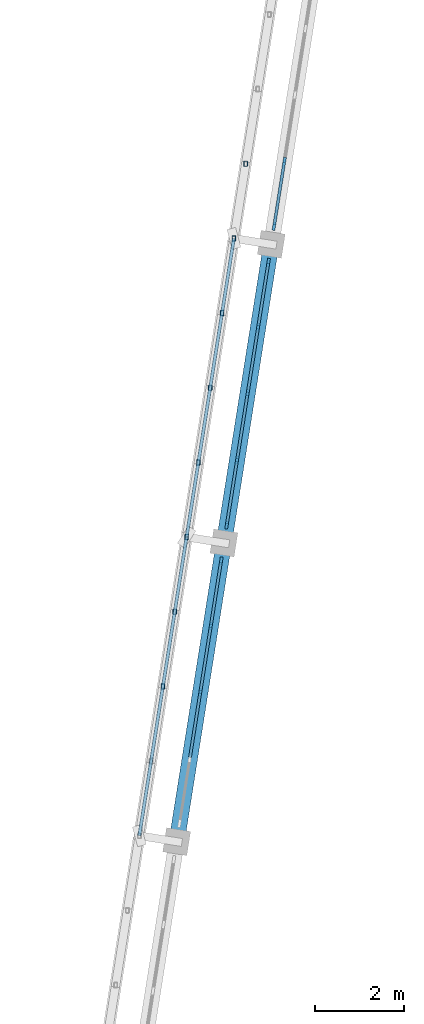
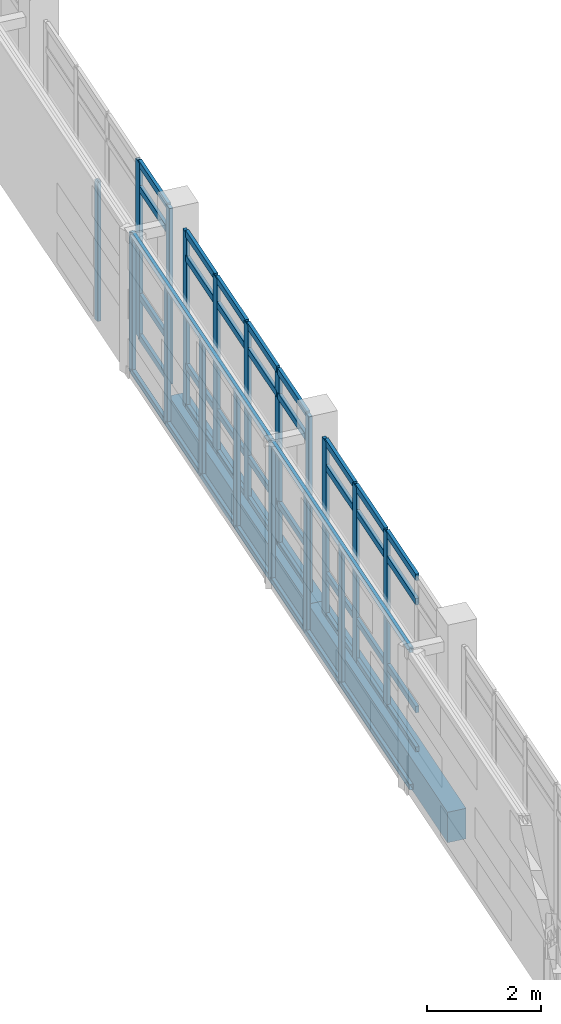
# One storey, part 39 of 137: 54 members, 2 beams, 3 elements without a shape of their own.
"""IFC4 building model written with IfcOpenShell, lengths in metres."""

from ifc_helpers import new_model, si_unit, direction, frame, origin, origin_2d, place, context, subcontext, project, spatial, rectangle, hollow_rectangle, extrude, material, material_profile, profile_set, type_object, element, aggregate, save


model = new_model("IFC4")

# Units and contexts
model_context = context("Model", 3, precision=1e-05, world=origin(), true_north=direction((0.0, 1.0)))
body_context = subcontext(model_context, "Body", "Model", "MODEL_VIEW")
ifc_project = project(units=[si_unit("LENGTHUNIT", "METRE"), si_unit("AREAUNIT", "SQUARE_METRE"), si_unit("VOLUMEUNIT", "CUBIC_METRE"), si_unit("PLANEANGLEUNIT", "RADIAN"), si_unit("MASSUNIT", "GRAM", prefix="KILO")], contexts=[model_context])

# Site, building, storey
site_placement = place(None, origin())
site = spatial("IfcSite", under=ifc_project, at=site_placement, CompositionType="ELEMENT")
building_placement = place(site_placement, origin())
building = spatial("IfcBuilding", under=site, at=building_placement, Name="Cinderway Yard Community Centre", CompositionType="ELEMENT")
storey_placement = place(building_placement, frame((0.0, 0.0, 4.800048828125)))
storey = spatial("IfcBuildingStorey", under=building, at=storey_placement, Name="L01", CompositionType="ELEMENT", Elevation=4.800048828125)

# Curtain wall, members
ifc_material_1 = material(Name="Aluminium 6063-T6", Category="aluminium")
curtain_wall_type = type_object("IfcCurtainWallType", Name="ENV-CW-TYPE-14", PredefinedType="USERDEFINED", material=ifc_material_1)
curtain_wall_1_placement = place(storey_placement, origin())
curtain_wall_1 = element("IfcCurtainWall", 1, at=curtain_wall_1_placement, inside=storey, type_object=curtain_wall_type, Name="Sports Hall Courtyard Curtain Wall ENV-CW-L01-HS-0053", ObjectType="GLAZED CURTAIN WALL", PredefinedType="USERDEFINED")
ifc_material_profile_1 = material_profile(ifc_material_1, rectangle(XDim=0.06494140625, YDim=0.179931640625, at=origin_2d()), Name="Aluminium 6063-T6")
ifc_profile_set_1 = profile_set([ifc_material_profile_1], Name="Aluminium 6063-T6")
member_type_1 = type_object("IfcMemberType", Name="ENV-CW-MULL-180", PredefinedType="MULLION", material=ifc_profile_set_1)
member_1_placement = place(storey_placement, frame((120.659423828125, 54.791015625, 0.0), z_axis=(0.0, 0.0, 1.0), x_axis=(-0.987686334358, 0.1564471314, 0.0)))
member_1 = element("IfcMember", 2, at=member_1_placement, type_object=member_type_1, Name="CW-14 mullion 3", PredefinedType="MULLION", context=body_context, shape_type="SweptSolid", body=[
    extrude(rectangle(XDim=0.06494140625, YDim=0.179931640625, at=origin_2d()), origin(), (0.0, 0.0, 1.0), 3.75),
])
member_2_placement = place(storey_placement, frame((120.895751953125, 56.282470703125, 0.0), z_axis=(0.0, 0.0, 1.0), x_axis=(-0.987686334358, 0.1564471314, 0.0)))
member_2 = element("IfcMember", 3, at=member_2_placement, type_object=member_type_1, Name="CW-14 mullion 4", PredefinedType="MULLION", context=body_context, shape_type="SweptSolid", body=[
    extrude(rectangle(XDim=0.06494140625, YDim=0.179931640625, at=origin_2d()), origin(), (0.0, 0.0, 1.0), 3.75),
])
member_3_placement = place(storey_placement, frame((121.127197265625, 57.744384765625, 0.0), z_axis=(0.0, 0.0, 1.0), x_axis=(-0.987686334358, 0.1564471314, 0.0)))
member_3 = element("IfcMember", 4, at=member_3_placement, type_object=member_type_1, Name="CW-14 mullion 5", PredefinedType="MULLION", context=body_context, shape_type="SweptSolid", body=[
    extrude(rectangle(XDim=0.06494140625, YDim=0.179931640625, at=origin_2d()), origin(), (0.0, 0.0, 1.0), 3.75),
])

curtain_wall_2_placement = place(storey_placement, origin())
curtain_wall_2 = element("IfcCurtainWall", 5, at=curtain_wall_2_placement, inside=storey, type_object=curtain_wall_type, Name="Sports Hall Courtyard Curtain Wall ENV-CW-L01-HS-0054", ObjectType="GLAZED CURTAIN WALL", PredefinedType="USERDEFINED")
member_4_placement = place(storey_placement, frame((121.254638671875, 58.5537109375, 0.0), z_axis=(0.0, 0.0, 1.0), x_axis=(-0.987660740525, 0.156608625643, 0.0)))
member_4 = element("IfcMember", 6, at=member_4_placement, type_object=member_type_1, Name="CW-14 mullion 1", PredefinedType="MULLION", context=body_context, shape_type="SweptSolid", body=[
    extrude(rectangle(XDim=0.06494140625, YDim=0.179931640625, at=origin_2d()), origin(), (0.0, 0.0, 1.0), 3.75),
])
member_5_placement = place(storey_placement, frame((121.486572265625, 60.015380859375, 0.0), z_axis=(0.0, 0.0, 1.0), x_axis=(-0.987660740525, 0.156608625643, 0.0)))
member_5 = element("IfcMember", 7, at=member_5_placement, type_object=member_type_1, Name="CW-14 mullion 2", PredefinedType="MULLION", context=body_context, shape_type="SweptSolid", body=[
    extrude(rectangle(XDim=0.06494140625, YDim=0.179931640625, at=origin_2d()), origin(), (0.0, 0.0, 1.0), 3.75),
])
member_6_placement = place(storey_placement, frame((121.722900390625, 61.507080078125, 0.0), z_axis=(0.0, 0.0, 1.0), x_axis=(-0.987660740525, 0.156608625643, 0.0)))
member_6 = element("IfcMember", 8, at=member_6_placement, type_object=member_type_1, Name="CW-14 mullion 3", PredefinedType="MULLION", context=body_context, shape_type="SweptSolid", body=[
    extrude(rectangle(XDim=0.06494140625, YDim=0.179931640625, at=origin_2d()), origin(), (0.0, 0.0, 1.0), 3.75),
])
member_7_placement = place(storey_placement, frame((121.95947265625, 62.99853515625, 0.0), z_axis=(0.0, 0.0, 1.0), x_axis=(-0.987660740525, 0.156608625643, 0.0)))
member_7 = element("IfcMember", 9, at=member_7_placement, type_object=member_type_1, Name="CW-14 mullion 4", PredefinedType="MULLION", context=body_context, shape_type="SweptSolid", body=[
    extrude(rectangle(XDim=0.06494140625, YDim=0.179931640625, at=origin_2d()), origin(), (0.0, 0.0, 1.0), 3.75),
])
member_8_placement = place(storey_placement, frame((122.19140625, 64.46044921875, 0.0), z_axis=(0.0, 0.0, 1.0), x_axis=(-0.987660740525, 0.156608625643, 0.0)))
member_8 = element("IfcMember", 10, at=member_8_placement, type_object=member_type_1, Name="CW-14 mullion 5", PredefinedType="MULLION", context=body_context, shape_type="SweptSolid", body=[
    extrude(rectangle(XDim=0.06494140625, YDim=0.179931640625, at=origin_2d()), origin(), (0.0, 0.0, 1.0), 3.75),
])

curtain_wall_3_placement = place(storey_placement, origin())
curtain_wall_3 = element("IfcCurtainWall", 11, at=curtain_wall_3_placement, inside=storey, type_object=curtain_wall_type, Name="Sports Hall Courtyard Curtain Wall ENV-CW-L01-HS-0055", ObjectType="GLAZED CURTAIN WALL", PredefinedType="USERDEFINED")
member_9_placement = place(storey_placement, frame((122.318603515625, 65.26953125, 0.0), z_axis=(0.0, 0.0, 1.0), x_axis=(-0.987660740525, 0.156608625643, 0.0)))
member_9 = element("IfcMember", 12, at=member_9_placement, type_object=member_type_1, Name="CW-14 mullion 1", PredefinedType="MULLION", context=body_context, shape_type="SweptSolid", body=[
    extrude(rectangle(XDim=0.06494140625, YDim=0.179931640625, at=origin_2d()), origin(), (0.0, 0.0, 1.0), 3.75),
])
member_10_placement = place(storey_placement, frame((122.550537109375, 66.7314453125, 0.0), z_axis=(0.0, 0.0, 1.0), x_axis=(-0.987660740525, 0.156608625643, 0.0)))
member_10 = element("IfcMember", 13, at=member_10_placement, type_object=member_type_1, Name="CW-14 mullion 2", PredefinedType="MULLION", context=body_context, shape_type="SweptSolid", body=[
    extrude(rectangle(XDim=0.06494140625, YDim=0.179931640625, at=origin_2d()), origin(), (0.0, 0.0, 1.0), 3.75),
])

# Member
ifc_material_profile_2 = material_profile(ifc_material_1, rectangle(XDim=0.06494140625, YDim=0.139892578125, at=origin_2d()), Name="Aluminium 6063-T6")
ifc_profile_set_2 = profile_set([ifc_material_profile_2], Name="Aluminium 6063-T6")
member_type_2 = type_object("IfcMemberType", Name="ENV-CW-TRAN-140", PredefinedType="USERDEFINED", material=ifc_profile_set_2)
member_11_placement = place(storey_placement, frame((120.427978515625, 53.3291015625, 0.030029296875), z_axis=(0.156394802051, 0.987694621779, 0.0), x_axis=(-0.987694621779, 0.156394802051, 0.0)))
member_11 = element("IfcMember", 14, at=member_11_placement, type_object=member_type_2, Name="CW-14 transom 2.1", ObjectType="TRANSOM", PredefinedType="USERDEFINED", context=body_context, shape_type="SweptSolid", body=[
    extrude(rectangle(XDim=0.06494140625, YDim=0.139892578125, at=origin_2d()), origin(), (0.0, 0.0, 1.0), 1.4501953125),
])

member_12_placement = place(storey_placement, frame((120.427978515625, 53.3291015625, 0.89990234375), z_axis=(0.156394802051, 0.987694621779, 0.0), x_axis=(-0.987694621779, 0.156394802051, 0.0)))
member_12 = element("IfcMember", 15, at=member_12_placement, type_object=member_type_2, Name="CW-14 transom 2.2", ObjectType="TRANSOM", PredefinedType="USERDEFINED", context=body_context, shape_type="SweptSolid", body=[
    extrude(rectangle(XDim=0.06494140625, YDim=0.139892578125, at=origin_2d()), origin(), (0.0, 0.0, 1.0), 1.4501953125),
])

member_13_placement = place(storey_placement, frame((120.427978515625, 53.3291015625, 3.199951171875), z_axis=(0.156394802051, 0.987694621779, 0.0), x_axis=(-0.987694621779, 0.156394802051, 0.0)))
member_13 = element("IfcMember", 16, at=member_13_placement, type_object=member_type_2, Name="CW-14 transom 2.3", ObjectType="TRANSOM", PredefinedType="USERDEFINED", context=body_context, shape_type="SweptSolid", body=[
    extrude(rectangle(XDim=0.06494140625, YDim=0.139892578125, at=origin_2d()), origin(), (0.0, 0.0, 1.0), 1.4501953125),
])

member_14_placement = place(storey_placement, frame((120.427978515625, 53.3291015625, 3.719970703125), z_axis=(0.156394802051, 0.987694621779, 0.0), x_axis=(-0.987694621779, 0.156394802051, 0.0)))
member_14 = element("IfcMember", 17, at=member_14_placement, type_object=member_type_2, Name="CW-14 transom 2.4", ObjectType="TRANSOM", PredefinedType="USERDEFINED", context=body_context, shape_type="SweptSolid", body=[
    extrude(rectangle(XDim=0.06494140625, YDim=0.139892578125, at=origin_2d()), origin(), (0.0, 0.0, 1.0), 1.4501953125),
])

member_15_placement = place(storey_placement, frame((120.664306640625, 54.820556640625, 0.030029296875), z_axis=(0.156394802051, 0.987694621779, 0.0), x_axis=(-0.987694621779, 0.156394802051, 0.0)))
member_15 = element("IfcMember", 18, at=member_15_placement, type_object=member_type_2, Name="CW-14 transom 3.1", ObjectType="TRANSOM", PredefinedType="USERDEFINED", context=body_context, shape_type="SweptSolid", body=[
    extrude(rectangle(XDim=0.06494140625, YDim=0.139892578125, at=origin_2d()), origin(), (0.0, 0.0, 1.0), 1.4501953125),
])

member_16_placement = place(storey_placement, frame((120.664306640625, 54.820556640625, 0.89990234375), z_axis=(0.156394802051, 0.987694621779, 0.0), x_axis=(-0.987694621779, 0.156394802051, 0.0)))
member_16 = element("IfcMember", 19, at=member_16_placement, type_object=member_type_2, Name="CW-14 transom 3.2", ObjectType="TRANSOM", PredefinedType="USERDEFINED", context=body_context, shape_type="SweptSolid", body=[
    extrude(rectangle(XDim=0.06494140625, YDim=0.139892578125, at=origin_2d()), origin(), (0.0, 0.0, 1.0), 1.4501953125),
])

member_17_placement = place(storey_placement, frame((120.664306640625, 54.820556640625, 3.199951171875), z_axis=(0.156394802051, 0.987694621779, 0.0), x_axis=(-0.987694621779, 0.156394802051, 0.0)))
member_17 = element("IfcMember", 20, at=member_17_placement, type_object=member_type_2, Name="CW-14 transom 3.3", ObjectType="TRANSOM", PredefinedType="USERDEFINED", context=body_context, shape_type="SweptSolid", body=[
    extrude(rectangle(XDim=0.06494140625, YDim=0.139892578125, at=origin_2d()), origin(), (0.0, 0.0, 1.0), 1.4501953125),
])

member_18_placement = place(storey_placement, frame((120.664306640625, 54.820556640625, 3.719970703125), z_axis=(0.156394802051, 0.987694621779, 0.0), x_axis=(-0.987694621779, 0.156394802051, 0.0)))
member_18 = element("IfcMember", 21, at=member_18_placement, type_object=member_type_2, Name="CW-14 transom 3.4", ObjectType="TRANSOM", PredefinedType="USERDEFINED", context=body_context, shape_type="SweptSolid", body=[
    extrude(rectangle(XDim=0.06494140625, YDim=0.139892578125, at=origin_2d()), origin(), (0.0, 0.0, 1.0), 1.4501953125),
])

member_19_placement = place(storey_placement, frame((120.900390625, 56.31201171875, 0.030029296875), z_axis=(0.156421554245, 0.987690385378, 0.0), x_axis=(-0.987690385378, 0.156421554245, 0.0)))
member_19 = element("IfcMember", 22, at=member_19_placement, type_object=member_type_2, Name="CW-14 transom 4.1", ObjectType="TRANSOM", PredefinedType="USERDEFINED", context=body_context, shape_type="SweptSolid", body=[
    extrude(rectangle(XDim=0.06494140625, YDim=0.139892578125, at=origin_2d()), origin(), (0.0, 0.0, 1.0), 1.42041015625),
])

member_20_placement = place(storey_placement, frame((120.900390625, 56.31201171875, 0.89990234375), z_axis=(0.156421554245, 0.987690385378, 0.0), x_axis=(-0.987690385378, 0.156421554245, 0.0)))
member_20 = element("IfcMember", 23, at=member_20_placement, type_object=member_type_2, Name="CW-14 transom 4.2", ObjectType="TRANSOM", PredefinedType="USERDEFINED", context=body_context, shape_type="SweptSolid", body=[
    extrude(rectangle(XDim=0.06494140625, YDim=0.139892578125, at=origin_2d()), origin(), (0.0, 0.0, 1.0), 1.42041015625),
])

member_21_placement = place(storey_placement, frame((120.900390625, 56.31201171875, 3.199951171875), z_axis=(0.156421554245, 0.987690385378, 0.0), x_axis=(-0.987690385378, 0.156421554245, 0.0)))
member_21 = element("IfcMember", 24, at=member_21_placement, type_object=member_type_2, Name="CW-14 transom 4.3", ObjectType="TRANSOM", PredefinedType="USERDEFINED", context=body_context, shape_type="SweptSolid", body=[
    extrude(rectangle(XDim=0.06494140625, YDim=0.139892578125, at=origin_2d()), origin(), (0.0, 0.0, 1.0), 1.42041015625),
])

member_22_placement = place(storey_placement, frame((120.900390625, 56.31201171875, 3.719970703125), z_axis=(0.156421554245, 0.987690385378, 0.0), x_axis=(-0.987690385378, 0.156421554245, 0.0)))
member_22 = element("IfcMember", 25, at=member_22_placement, type_object=member_type_2, Name="CW-14 transom 4.4", ObjectType="TRANSOM", PredefinedType="USERDEFINED", context=body_context, shape_type="SweptSolid", body=[
    extrude(rectangle(XDim=0.06494140625, YDim=0.139892578125, at=origin_2d()), origin(), (0.0, 0.0, 1.0), 1.42041015625),
])

aggregate(curtain_wall_1, [member_1, member_2, member_3, member_11, member_12, member_13, member_14, member_15, member_16, member_17, member_18, member_19, member_20, member_21, member_22])

member_23_placement = place(storey_placement, frame((121.25927734375, 58.583251953125, 0.030029296875), z_axis=(0.156615821604, 0.987659599469, 0.0), x_axis=(-0.987659599469, 0.156615821604, 0.0)))
member_23 = element("IfcMember", 26, at=member_23_placement, type_object=member_type_2, Name="CW-14 transom 1.1", ObjectType="TRANSOM", PredefinedType="USERDEFINED", context=body_context, shape_type="SweptSolid", body=[
    extrude(rectangle(XDim=0.06494140625, YDim=0.139892578125, at=origin_2d()), origin(), (0.0, 0.0, 1.0), 1.420166015625),
])

member_24_placement = place(storey_placement, frame((121.25927734375, 58.583251953125, 0.89990234375), z_axis=(0.156615821604, 0.987659599469, 0.0), x_axis=(-0.987659599469, 0.156615821604, 0.0)))
member_24 = element("IfcMember", 27, at=member_24_placement, type_object=member_type_2, Name="CW-14 transom 1.2", ObjectType="TRANSOM", PredefinedType="USERDEFINED", context=body_context, shape_type="SweptSolid", body=[
    extrude(rectangle(XDim=0.06494140625, YDim=0.139892578125, at=origin_2d()), origin(), (0.0, 0.0, 1.0), 1.420166015625),
])

member_25_placement = place(storey_placement, frame((121.25927734375, 58.583251953125, 3.199951171875), z_axis=(0.156615821604, 0.987659599469, 0.0), x_axis=(-0.987659599469, 0.156615821604, 0.0)))
member_25 = element("IfcMember", 28, at=member_25_placement, type_object=member_type_2, Name="CW-14 transom 1.3", ObjectType="TRANSOM", PredefinedType="USERDEFINED", context=body_context, shape_type="SweptSolid", body=[
    extrude(rectangle(XDim=0.06494140625, YDim=0.139892578125, at=origin_2d()), origin(), (0.0, 0.0, 1.0), 1.420166015625),
])

member_26_placement = place(storey_placement, frame((121.25927734375, 58.583251953125, 3.719970703125), z_axis=(0.156615821604, 0.987659599469, 0.0), x_axis=(-0.987659599469, 0.156615821604, 0.0)))
member_26 = element("IfcMember", 29, at=member_26_placement, type_object=member_type_2, Name="CW-14 transom 1.4", ObjectType="TRANSOM", PredefinedType="USERDEFINED", context=body_context, shape_type="SweptSolid", body=[
    extrude(rectangle(XDim=0.06494140625, YDim=0.139892578125, at=origin_2d()), origin(), (0.0, 0.0, 1.0), 1.420166015625),
])

member_27_placement = place(storey_placement, frame((121.4912109375, 60.045166015625, 0.030029296875), z_axis=(0.156585060263, 0.987664476886, 0.0), x_axis=(-0.987664476886, 0.156585060263, 0.0)))
member_27 = element("IfcMember", 30, at=member_27_placement, type_object=member_type_2, Name="CW-14 transom 2.1", ObjectType="TRANSOM", PredefinedType="USERDEFINED", context=body_context, shape_type="SweptSolid", body=[
    extrude(rectangle(XDim=0.06494140625, YDim=0.139892578125, at=origin_2d()), origin(), (0.0, 0.0, 1.0), 1.449951171875),
])

member_28_placement = place(storey_placement, frame((121.4912109375, 60.045166015625, 0.89990234375), z_axis=(0.156585060263, 0.987664476886, 0.0), x_axis=(-0.987664476886, 0.156585060263, 0.0)))
member_28 = element("IfcMember", 31, at=member_28_placement, type_object=member_type_2, Name="CW-14 transom 2.2", ObjectType="TRANSOM", PredefinedType="USERDEFINED", context=body_context, shape_type="SweptSolid", body=[
    extrude(rectangle(XDim=0.06494140625, YDim=0.139892578125, at=origin_2d()), origin(), (0.0, 0.0, 1.0), 1.449951171875),
])

member_29_placement = place(storey_placement, frame((121.4912109375, 60.045166015625, 3.199951171875), z_axis=(0.156585060263, 0.987664476886, 0.0), x_axis=(-0.987664476886, 0.156585060263, 0.0)))
member_29 = element("IfcMember", 32, at=member_29_placement, type_object=member_type_2, Name="CW-14 transom 2.3", ObjectType="TRANSOM", PredefinedType="USERDEFINED", context=body_context, shape_type="SweptSolid", body=[
    extrude(rectangle(XDim=0.06494140625, YDim=0.139892578125, at=origin_2d()), origin(), (0.0, 0.0, 1.0), 1.449951171875),
])

member_30_placement = place(storey_placement, frame((121.4912109375, 60.045166015625, 3.719970703125), z_axis=(0.156585060263, 0.987664476886, 0.0), x_axis=(-0.987664476886, 0.156585060263, 0.0)))
member_30 = element("IfcMember", 33, at=member_30_placement, type_object=member_type_2, Name="CW-14 transom 2.4", ObjectType="TRANSOM", PredefinedType="USERDEFINED", context=body_context, shape_type="SweptSolid", body=[
    extrude(rectangle(XDim=0.06494140625, YDim=0.139892578125, at=origin_2d()), origin(), (0.0, 0.0, 1.0), 1.449951171875),
])

member_31_placement = place(storey_placement, frame((121.727783203125, 61.53662109375, 0.030029296875), z_axis=(0.156585060263, 0.987664476886, 0.0), x_axis=(-0.987664476886, 0.156585060263, 0.0)))
member_31 = element("IfcMember", 34, at=member_31_placement, type_object=member_type_2, Name="CW-14 transom 3.1", ObjectType="TRANSOM", PredefinedType="USERDEFINED", context=body_context, shape_type="SweptSolid", body=[
    extrude(rectangle(XDim=0.06494140625, YDim=0.139892578125, at=origin_2d()), origin(), (0.0, 0.0, 1.0), 1.449951171875),
])

member_32_placement = place(storey_placement, frame((121.727783203125, 61.53662109375, 0.89990234375), z_axis=(0.156585060263, 0.987664476886, 0.0), x_axis=(-0.987664476886, 0.156585060263, 0.0)))
member_32 = element("IfcMember", 35, at=member_32_placement, type_object=member_type_2, Name="CW-14 transom 3.2", ObjectType="TRANSOM", PredefinedType="USERDEFINED", context=body_context, shape_type="SweptSolid", body=[
    extrude(rectangle(XDim=0.06494140625, YDim=0.139892578125, at=origin_2d()), origin(), (0.0, 0.0, 1.0), 1.449951171875),
])

member_33_placement = place(storey_placement, frame((121.727783203125, 61.53662109375, 3.199951171875), z_axis=(0.156585060263, 0.987664476886, 0.0), x_axis=(-0.987664476886, 0.156585060263, 0.0)))
member_33 = element("IfcMember", 36, at=member_33_placement, type_object=member_type_2, Name="CW-14 transom 3.3", ObjectType="TRANSOM", PredefinedType="USERDEFINED", context=body_context, shape_type="SweptSolid", body=[
    extrude(rectangle(XDim=0.06494140625, YDim=0.139892578125, at=origin_2d()), origin(), (0.0, 0.0, 1.0), 1.449951171875),
])

member_34_placement = place(storey_placement, frame((121.727783203125, 61.53662109375, 3.719970703125), z_axis=(0.156585060263, 0.987664476886, 0.0), x_axis=(-0.987664476886, 0.156585060263, 0.0)))
member_34 = element("IfcMember", 37, at=member_34_placement, type_object=member_type_2, Name="CW-14 transom 3.4", ObjectType="TRANSOM", PredefinedType="USERDEFINED", context=body_context, shape_type="SweptSolid", body=[
    extrude(rectangle(XDim=0.06494140625, YDim=0.139892578125, at=origin_2d()), origin(), (0.0, 0.0, 1.0), 1.449951171875),
])

member_35_placement = place(storey_placement, frame((121.964111328125, 63.028076171875, 0.030029296875), z_axis=(0.156615821604, 0.987659599469, 0.0), x_axis=(-0.987659599469, 0.156615821604, 0.0)))
member_35 = element("IfcMember", 38, at=member_35_placement, type_object=member_type_2, Name="CW-14 transom 4.1", ObjectType="TRANSOM", PredefinedType="USERDEFINED", context=body_context, shape_type="SweptSolid", body=[
    extrude(rectangle(XDim=0.06494140625, YDim=0.139892578125, at=origin_2d()), origin(), (0.0, 0.0, 1.0), 1.420166015625),
])

member_36_placement = place(storey_placement, frame((121.964111328125, 63.028076171875, 0.89990234375), z_axis=(0.156615821604, 0.987659599469, 0.0), x_axis=(-0.987659599469, 0.156615821604, 0.0)))
member_36 = element("IfcMember", 39, at=member_36_placement, type_object=member_type_2, Name="CW-14 transom 4.2", ObjectType="TRANSOM", PredefinedType="USERDEFINED", context=body_context, shape_type="SweptSolid", body=[
    extrude(rectangle(XDim=0.06494140625, YDim=0.139892578125, at=origin_2d()), origin(), (0.0, 0.0, 1.0), 1.420166015625),
])

member_37_placement = place(storey_placement, frame((121.964111328125, 63.028076171875, 3.199951171875), z_axis=(0.156615821604, 0.987659599469, 0.0), x_axis=(-0.987659599469, 0.156615821604, 0.0)))
member_37 = element("IfcMember", 40, at=member_37_placement, type_object=member_type_2, Name="CW-14 transom 4.3", ObjectType="TRANSOM", PredefinedType="USERDEFINED", context=body_context, shape_type="SweptSolid", body=[
    extrude(rectangle(XDim=0.06494140625, YDim=0.139892578125, at=origin_2d()), origin(), (0.0, 0.0, 1.0), 1.420166015625),
])

member_38_placement = place(storey_placement, frame((121.964111328125, 63.028076171875, 3.719970703125), z_axis=(0.156615821604, 0.987659599469, 0.0), x_axis=(-0.987659599469, 0.156615821604, 0.0)))
member_38 = element("IfcMember", 41, at=member_38_placement, type_object=member_type_2, Name="CW-14 transom 4.4", ObjectType="TRANSOM", PredefinedType="USERDEFINED", context=body_context, shape_type="SweptSolid", body=[
    extrude(rectangle(XDim=0.06494140625, YDim=0.139892578125, at=origin_2d()), origin(), (0.0, 0.0, 1.0), 1.420166015625),
])

aggregate(curtain_wall_2, [member_4, member_5, member_6, member_7, member_8, member_23, member_24, member_25, member_26, member_27, member_28, member_29, member_30, member_31, member_32, member_33, member_34, member_35, member_36, member_37, member_38])

member_39_placement = place(storey_placement, frame((122.323486328125, 65.29931640625, 0.030029296875), z_axis=(0.156615821604, 0.987659599469, 0.0), x_axis=(-0.987659599469, 0.156615821604, 0.0)))
member_39 = element("IfcMember", 42, at=member_39_placement, type_object=member_type_2, Name="CW-14 transom 1.1", ObjectType="TRANSOM", PredefinedType="USERDEFINED", context=body_context, shape_type="SweptSolid", body=[
    extrude(rectangle(XDim=0.06494140625, YDim=0.139892578125, at=origin_2d()), origin(), (0.0, 0.0, 1.0), 1.420166015625),
])

member_40_placement = place(storey_placement, frame((122.323486328125, 65.29931640625, 0.89990234375), z_axis=(0.156615821604, 0.987659599469, 0.0), x_axis=(-0.987659599469, 0.156615821604, 0.0)))
member_40 = element("IfcMember", 43, at=member_40_placement, type_object=member_type_2, Name="CW-14 transom 1.2", ObjectType="TRANSOM", PredefinedType="USERDEFINED", context=body_context, shape_type="SweptSolid", body=[
    extrude(rectangle(XDim=0.06494140625, YDim=0.139892578125, at=origin_2d()), origin(), (0.0, 0.0, 1.0), 1.420166015625),
])

member_41_placement = place(storey_placement, frame((122.323486328125, 65.29931640625, 3.199951171875), z_axis=(0.156615821604, 0.987659599469, 0.0), x_axis=(-0.987659599469, 0.156615821604, 0.0)))
member_41 = element("IfcMember", 44, at=member_41_placement, type_object=member_type_2, Name="CW-14 transom 1.3", ObjectType="TRANSOM", PredefinedType="USERDEFINED", context=body_context, shape_type="SweptSolid", body=[
    extrude(rectangle(XDim=0.06494140625, YDim=0.139892578125, at=origin_2d()), origin(), (0.0, 0.0, 1.0), 1.420166015625),
])

member_42_placement = place(storey_placement, frame((122.323486328125, 65.29931640625, 3.719970703125), z_axis=(0.156615821604, 0.987659599469, 0.0), x_axis=(-0.987659599469, 0.156615821604, 0.0)))
member_42 = element("IfcMember", 45, at=member_42_placement, type_object=member_type_2, Name="CW-14 transom 1.4", ObjectType="TRANSOM", PredefinedType="USERDEFINED", context=body_context, shape_type="SweptSolid", body=[
    extrude(rectangle(XDim=0.06494140625, YDim=0.139892578125, at=origin_2d()), origin(), (0.0, 0.0, 1.0), 1.420166015625),
])

aggregate(curtain_wall_3, [member_9, member_10, member_39, member_40, member_41, member_42])

# Members
ifc_material_2 = material(Name="Steel S355", Category="steel")
ifc_material_profile_3 = material_profile(ifc_material_2, hollow_rectangle(XDim=0.080078125, YDim=0.1201171875, WallThickness=0.00634765625, InnerFilletRadius=0.00634765625, OuterFilletRadius=0.0126953125, at=origin_2d()), Name="Steel S355")
ifc_profile_set_3 = profile_set([ifc_material_profile_3], Name="Steel S355")
member_type_3 = type_object("IfcMemberType", Name="ENV-MEM-SCREEN-RAIL-120", PredefinedType="STRINGER", material=ifc_profile_set_3)
for number, where, z_axis, x_axis, name in (
    (46, (119.2880859375, 51.56591796875, 0.7099609375), (0.156329470887, 0.987704964315, 0.0), (-0.987704964315, 0.156329470887, 0.0), "Screen support rail 0983-BOT"),
    (47, (119.2880859375, 51.56591796875, 3.639892578125), (0.156329470887, 0.987704964315, 0.0), (-0.987704964315, 0.156329470887, 0.0), "Screen support rail 0984-TOP"),
):
    element("IfcMember", number, at=place(storey_placement, frame(where, z_axis=z_axis, x_axis=x_axis)), inside=storey, type_object=member_type_3, Name=name, PredefinedType="STRINGER", context=body_context, shape_type="SweptSolid", body=[
        extrude(hollow_rectangle(XDim=0.080078125, YDim=0.1201171875, WallThickness=0.00634765625, InnerFilletRadius=0.00634765625, OuterFilletRadius=0.0126953125, at=origin_2d()), origin(), (0.0, 0.0, 1.0), 6.799560546875),
    ])
for number, where, z_axis, x_axis, name in (
    (48, (119.820068359375, 54.924072265625, 0.68994140625), (0.0, 0.0, 1.0), (1.0, 0.0, 0.0), "Screen vertical mullion 0986"),
    (49, (120.0849609375, 56.60302734375, 0.68994140625), (0.0, 0.0, 1.0), (1.0, 0.0, 0.0), "Screen vertical mullion 0987"),
    (50, (120.35107421875, 58.281982421875, 0.68994140625), (0.0, 0.0, 1.0), (1.0, 0.0, 0.0), "Screen vertical mullion 0988"),
):
    element("IfcMember", number, at=place(storey_placement, frame(where, z_axis=z_axis, x_axis=x_axis)), inside=storey, type_object=member_type_3, Name=name, PredefinedType="STRINGER", context=body_context, shape_type="SweptSolid", body=[
        extrude(hollow_rectangle(XDim=0.080078125, YDim=0.1201171875, WallThickness=0.00634765625, InnerFilletRadius=0.00634765625, OuterFilletRadius=0.0126953125, at=origin_2d()), origin(), (0.0, 0.0, 1.0), 2.969970703125),
    ])
for number, where, z_axis, x_axis, name in (
    (51, (120.35107421875, 58.281982421875, 0.7099609375), (0.156469575446, 0.987682779013, 0.0), (-0.987682779013, 0.156469575446, 0.0), "Screen support rail 0990-BOT"),
    (52, (120.35107421875, 58.281982421875, 3.639892578125), (0.156469575446, 0.987682779013, 0.0), (-0.987682779013, 0.156469575446, 0.0), "Screen support rail 0991-TOP"),
):
    element("IfcMember", number, at=place(storey_placement, frame(where, z_axis=z_axis, x_axis=x_axis)), inside=storey, type_object=member_type_3, Name=name, PredefinedType="STRINGER", context=body_context, shape_type="SweptSolid", body=[
        extrude(hollow_rectangle(XDim=0.080078125, YDim=0.1201171875, WallThickness=0.00634765625, InnerFilletRadius=0.00634765625, OuterFilletRadius=0.0126953125, at=origin_2d()), origin(), (0.0, 0.0, 1.0), 6.7998046875),
    ])
for number, where, z_axis, x_axis, name in (
    (53, (120.616943359375, 59.9609375, 0.68994140625), (0.0, 0.0, 1.0), (1.0, 0.0, 0.0), "Screen vertical mullion 0992"),
    (54, (120.883056640625, 61.639892578125, 0.68994140625), (0.0, 0.0, 1.0), (1.0, 0.0, 0.0), "Screen vertical mullion 0993"),
    (55, (121.14892578125, 63.319091796875, 0.68994140625), (0.0, 0.0, 1.0), (1.0, 0.0, 0.0), "Screen vertical mullion 0994"),
    (56, (121.4150390625, 64.998046875, 0.68994140625), (0.0, 0.0, 1.0), (1.0, 0.0, 0.0), "Screen vertical mullion 0995"),
    (57, (121.680908203125, 66.677001953125, 0.68994140625), (0.0, 0.0, 1.0), (1.0, 0.0, 0.0), "Screen vertical mullion 0999"),
):
    element("IfcMember", number, at=place(storey_placement, frame(where, z_axis=z_axis, x_axis=x_axis)), inside=storey, type_object=member_type_3, Name=name, PredefinedType="STRINGER", context=body_context, shape_type="SweptSolid", body=[
        extrude(hollow_rectangle(XDim=0.080078125, YDim=0.1201171875, WallThickness=0.00634765625, InnerFilletRadius=0.00634765625, OuterFilletRadius=0.0126953125, at=origin_2d()), origin(), (0.0, 0.0, 1.0), 2.969970703125),
    ])

# Beams
ifc_material_3 = material(Name="Concrete C35/45", Category="concrete")
ifc_material_profile_4 = material_profile(ifc_material_3, rectangle(XDim=0.35009765625, YDim=0.64990234375, at=origin_2d()), Name="Concrete C35/45")
ifc_profile_set_4 = profile_set([ifc_material_profile_4], Name="Concrete C35/45")
beam_type = type_object("IfcBeamType", Name="STR-BM-RC350X650", PredefinedType="BEAM", material=ifc_profile_set_4)
beam_1_placement = place(storey_placement, frame((120.1279296875, 51.43310546875, -0.324951171875), z_axis=(0.156335015047, 0.987704086794, 0.0), x_axis=(-0.987704086794, 0.156335015047, 0.0)))
element("IfcBeam", 58, at=beam_1_placement, inside=storey, type_object=beam_type, Name="Sports Hall west ring beam STR-BM-L01-BG08-0100", PredefinedType="BEAM", context=body_context, shape_type="SweptSolid", body=[
    extrude(rectangle(XDim=0.35009765625, YDim=0.64990234375, at=origin_2d()), origin(), (0.0, 0.0, 1.0), 6.79931640625),
])
beam_2_placement = place(storey_placement, frame((121.19091796875, 58.14892578125, -0.324951171875), z_axis=(0.156469575446, 0.987682779013, 0.0), x_axis=(-0.987682779013, 0.156469575446, 0.0)))
element("IfcBeam", 59, at=beam_2_placement, inside=storey, type_object=beam_type, Name="Sports Hall west ring beam STR-BM-L01-BG08-0101", PredefinedType="BEAM", context=body_context, shape_type="SweptSolid", body=[
    extrude(rectangle(XDim=0.35009765625, YDim=0.64990234375, at=origin_2d()), origin(), (0.0, 0.0, 1.0), 6.7998046875),
])

save(model, "model.ifc")
